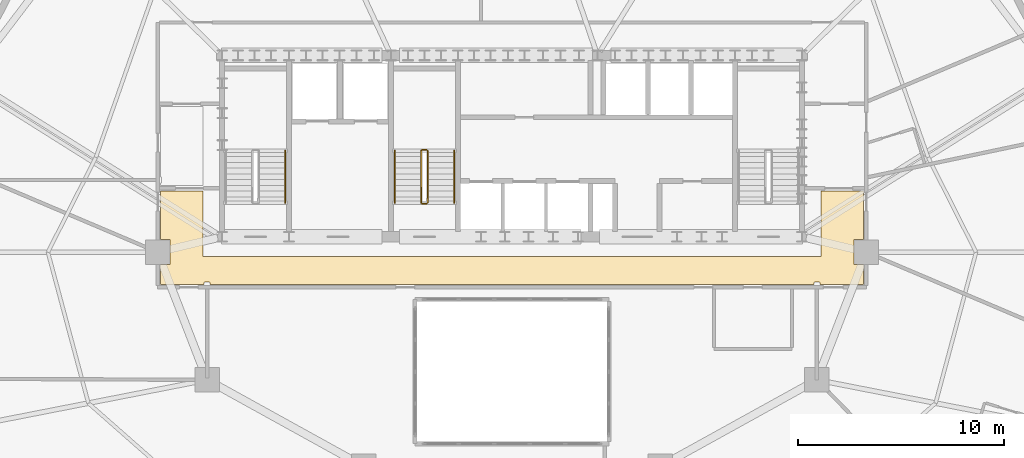
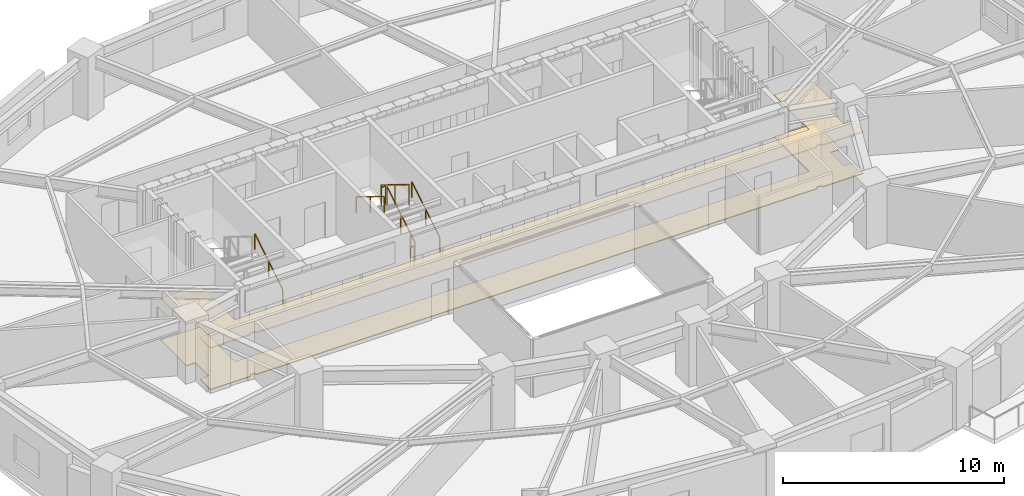
# One storey, part 11 of 12: 7 railings, 2 coverings.
"""IFC4 building model written with IfcOpenShell, lengths in metres."""

from ifc_helpers import new_model, si_unit, direction, frame, origin, origin_2d, place, context, subcontext, project, spatial, polyline, rectangle, outline, extrude, material, layer, layer_set, type_object, element, save


model = new_model("IFC4")

# Units and contexts
model_context = context("Model", 3, precision=1e-05, world=origin(), true_north=direction((0.0, 1.0)))
body_context = subcontext(model_context, "Body", "Model", "MODEL_VIEW")
ifc_project = project(units=[si_unit("LENGTHUNIT", "METRE"), si_unit("AREAUNIT", "SQUARE_METRE"), si_unit("VOLUMEUNIT", "CUBIC_METRE"), si_unit("PLANEANGLEUNIT", "RADIAN"), si_unit("MASSUNIT", "GRAM", prefix="KILO")], contexts=[model_context])

# Site, building, storey
site_placement = place(None, origin())
site = spatial("IfcSite", under=ifc_project, at=site_placement, CompositionType="ELEMENT")
building_placement = place(site_placement, origin())
building = spatial("IfcBuilding", under=site, at=building_placement, Name="Haldorwick Loom Tower", CompositionType="ELEMENT")
storey_placement = place(building_placement, frame((0.0, 0.0, 117.35009765625)))
storey = spatial("IfcBuildingStorey", under=building, at=storey_placement, Name="L31", CompositionType="ELEMENT", Elevation=117.35009765625)

# Coverings
ifc_material_1 = material(Name="Mineral Fibre Acoustic Ceiling Tile")
ifc_layer_1 = layer(ifc_material_1, 0.054931640625, Name="Mineral Fibre Acoustic Ceiling Tile")
ifc_layer_set_1 = layer_set([ifc_layer_1], Name="Mineral Fibre Acoustic Ceiling Tile")
covering_type_1 = type_object("IfcCoveringType", Name="ARC-COV-CEIL2", PredefinedType="CEILING", material=ifc_layer_set_1)
covering_1_placement = place(storey_placement, frame((0.0, 0.0, 2.302001953125)))
element("IfcCovering", 1, at=covering_1_placement, inside=storey, type_object=covering_type_1, Name="L31 Acoustic Suspended Ceiling 1", PredefinedType="CEILING", context=body_context, shape_type="SweptSolid", body=[
    extrude(outline(polyline([(21.320068359375, 24.5400390625), (21.322021484375, 24.539794921875), (21.323974609375, 24.53955078125), (21.32568359375, 24.5390625), (21.32763671875, 24.53857421875), (21.329345703125, 24.53759765625), (21.3310546875, 24.53662109375), (21.332763671875, 24.535400390625), (21.333984375, 24.5341796875), (21.33544921875, 24.53271484375), (21.336669921875, 24.531005859375), (21.337646484375, 24.529296875), (21.33837890625, 24.527587890625), (21.339111328125, 24.52587890625), (21.339599609375, 24.52392578125), (21.33984375, 24.52197265625), (21.340087890625, 24.52001953125), (21.340087890625, 24.43994140625), (50.659912109375, 24.43994140625), (50.659912109375, 24.52001953125), (50.66015625, 24.52197265625), (50.660400390625, 24.52392578125), (50.660888671875, 24.52587890625), (50.66162109375, 24.527587890625), (50.662353515625, 24.529296875), (50.663330078125, 24.531005859375), (50.66455078125, 24.53271484375), (50.666015625, 24.5341796875), (50.667236328125, 24.535400390625), (50.6689453125, 24.53662109375), (50.670654296875, 24.53759765625), (50.67236328125, 24.53857421875), (50.67431640625, 24.5390625), (50.676025390625, 24.53955078125), (50.677978515625, 24.539794921875), (50.679931640625, 24.5400390625), (50.919921875, 24.5400390625), (50.922119140625, 24.539794921875), (50.923828125, 24.53955078125), (50.92578125, 24.5390625), (50.927734375, 24.53857421875), (50.929443359375, 24.53759765625), (50.93115234375, 24.53662109375), (50.9326171875, 24.535400390625), (50.93408203125, 24.5341796875), (50.935546875, 24.53271484375), (50.9365234375, 24.531005859375), (50.9375, 24.529296875), (50.9384765625, 24.527587890625), (50.939208984375, 24.52587890625), (50.939697265625, 24.52392578125), (50.93994140625, 24.52197265625), (50.93994140625, 24.52001953125), (50.93994140625, 24.43994140625), (53.06005859375, 24.43994140625), (53.06005859375, 25.39208984375), (52.592041015625, 25.39208984375), (52.592041015625, 26.60791015625), (53.06005859375, 26.60791015625), (53.06005859375, 28.9599609375), (51.0, 28.9599609375), (51.0, 25.800048828125), (21.0, 25.800048828125), (21.0, 28.9599609375), (18.93994140625, 28.9599609375), (18.93994140625, 26.60791015625), (19.407958984375, 26.60791015625), (19.407958984375, 25.39208984375), (18.93994140625, 25.39208984375), (18.93994140625, 24.43994140625), (21.06005859375, 24.43994140625), (21.06005859375, 24.52001953125), (21.06005859375, 24.52197265625), (21.060302734375, 24.52392578125), (21.060791015625, 24.52587890625), (21.0615234375, 24.527587890625), (21.0625, 24.529296875), (21.0634765625, 24.531005859375), (21.064453125, 24.53271484375), (21.06591796875, 24.5341796875), (21.0673828125, 24.535400390625), (21.06884765625, 24.53662109375), (21.070556640625, 24.53759765625), (21.072265625, 24.53857421875), (21.07421875, 24.5390625), (21.076171875, 24.53955078125), (21.077880859375, 24.539794921875), (21.080078125, 24.5400390625), (21.320068359375, 24.5400390625)])), origin(), (0.0, 0.0, 1.0), 0.054931640625),
])
ifc_material_2 = material(Name="Polished Aggregate Terrazzo Finish")
ifc_layer_2 = layer(ifc_material_2, 0.044921875, Name="Polished Aggregate Terrazzo Finish")
ifc_layer_set_2 = layer_set([ifc_layer_2], Name="Polished Aggregate Terrazzo Finish")
covering_type_2 = type_object("IfcCoveringType", Name="ARC-COV-FLOOR2", PredefinedType="FLOORING", material=ifc_layer_set_2)
covering_2_placement = place(storey_placement, origin())
element("IfcCovering", 2, at=covering_2_placement, inside=storey, type_object=covering_type_2, Name="L31 Floor Finish 1", PredefinedType="FLOORING", context=body_context, shape_type="SweptSolid", body=[
    extrude(outline(polyline([(21.320068359375, 24.5400390625), (21.322021484375, 24.539794921875), (21.323974609375, 24.53955078125), (21.32568359375, 24.5390625), (21.32763671875, 24.53857421875), (21.329345703125, 24.53759765625), (21.3310546875, 24.53662109375), (21.332763671875, 24.535400390625), (21.333984375, 24.5341796875), (21.33544921875, 24.53271484375), (21.336669921875, 24.531005859375), (21.337646484375, 24.529296875), (21.33837890625, 24.527587890625), (21.339111328125, 24.52587890625), (21.339599609375, 24.52392578125), (21.33984375, 24.52197265625), (21.340087890625, 24.52001953125), (21.340087890625, 24.43994140625), (50.659912109375, 24.43994140625), (50.659912109375, 24.52001953125), (50.66015625, 24.52197265625), (50.660400390625, 24.52392578125), (50.660888671875, 24.52587890625), (50.66162109375, 24.527587890625), (50.662353515625, 24.529296875), (50.663330078125, 24.531005859375), (50.66455078125, 24.53271484375), (50.666015625, 24.5341796875), (50.667236328125, 24.535400390625), (50.6689453125, 24.53662109375), (50.670654296875, 24.53759765625), (50.67236328125, 24.53857421875), (50.67431640625, 24.5390625), (50.676025390625, 24.53955078125), (50.677978515625, 24.539794921875), (50.679931640625, 24.5400390625), (50.919921875, 24.5400390625), (50.922119140625, 24.539794921875), (50.923828125, 24.53955078125), (50.92578125, 24.5390625), (50.927734375, 24.53857421875), (50.929443359375, 24.53759765625), (50.93115234375, 24.53662109375), (50.9326171875, 24.535400390625), (50.93408203125, 24.5341796875), (50.935546875, 24.53271484375), (50.9365234375, 24.531005859375), (50.9375, 24.529296875), (50.9384765625, 24.527587890625), (50.939208984375, 24.52587890625), (50.939697265625, 24.52392578125), (50.93994140625, 24.52197265625), (50.93994140625, 24.52001953125), (50.93994140625, 24.43994140625), (53.06005859375, 24.43994140625), (53.06005859375, 25.39208984375), (52.592041015625, 25.39208984375), (52.592041015625, 26.60791015625), (53.06005859375, 26.60791015625), (53.06005859375, 28.9599609375), (51.0, 28.9599609375), (51.0, 25.800048828125), (21.0, 25.800048828125), (21.0, 28.9599609375), (18.93994140625, 28.9599609375), (18.93994140625, 26.60791015625), (19.407958984375, 26.60791015625), (19.407958984375, 25.39208984375), (18.93994140625, 25.39208984375), (18.93994140625, 24.43994140625), (21.06005859375, 24.43994140625), (21.06005859375, 24.52001953125), (21.06005859375, 24.52197265625), (21.060302734375, 24.52392578125), (21.060791015625, 24.52587890625), (21.0615234375, 24.527587890625), (21.0625, 24.529296875), (21.0634765625, 24.531005859375), (21.064453125, 24.53271484375), (21.06591796875, 24.5341796875), (21.0673828125, 24.535400390625), (21.06884765625, 24.53662109375), (21.070556640625, 24.53759765625), (21.072265625, 24.53857421875), (21.07421875, 24.5390625), (21.076171875, 24.53955078125), (21.077880859375, 24.539794921875), (21.080078125, 24.5400390625), (21.320068359375, 24.5400390625)])), origin(), (0.0, 0.0, 1.0), 0.044921875),
])

# Railings
ifc_material_3 = material(Name="Steel CSA G40.21 350W", Category="steel")
railing_type_1 = type_object("IfcRailingType", Name="ARC-RLG-GUARD112", PredefinedType="GUARDRAIL", material=ifc_material_3)
railing_1_placement = place(storey_placement, frame((31.89990234375, 28.39990234375, 0.17236328125)))
element("IfcRailing", 3, at=railing_1_placement, inside=storey, type_object=railing_type_1, Name="L31 ST-03 stair guard 1", PredefinedType="GUARDRAIL", context=body_context, shape_type="SweptSolid", body=[
    extrude(rectangle(XDim=0.048095703125, YDim=0.048095703125, at=origin_2d()), frame((0.0, 0.0, 1.076171875), z_axis=(0.0, 0.851400495292, 0.524516154772), x_axis=(-1.0, 0.0, 0.0)), (0.0, 0.0, 1.0), 2.9599609375),
    extrude(rectangle(XDim=0.0419921875, YDim=0.0419921875, at=origin_2d()), origin(), (0.0, 0.0, 1.0), 1.052001953125),
    extrude(rectangle(XDim=0.0419921875, YDim=0.0419921875, at=origin_2d()), frame((0.0, 1.260009765625, 0.7763671875)), (0.0, 0.0, 1.0), 1.052001953125),
    extrude(rectangle(XDim=0.0419921875, YDim=0.0419921875, at=origin_2d()), frame((0.0, 2.52001953125, 1.552490234375)), (0.0, 0.0, 1.0), 1.052001953125),
])
railing_2_placement = place(storey_placement, frame((31.85009765625, 30.969970703125, 1.724853515625)))
element("IfcRailing", 4, at=railing_2_placement, inside=storey, type_object=railing_type_1, Name="L31 ST-03 stair guard 2", PredefinedType="GUARDRAIL", context=body_context, shape_type="SweptSolid", body=[
    extrude(rectangle(XDim=0.048095703125, YDim=0.048095703125, at=origin_2d()), frame((0.0, 0.0, 1.076171875), z_axis=(-1.0, 0.0, 0.0), x_axis=(0.0, -1.0, 0.0)), (0.0, 0.0, 1.0), 0.2001953125),
    extrude(rectangle(XDim=0.0419921875, YDim=0.0419921875, at=origin_2d()), origin(), (0.0, 0.0, 1.0), 1.052001953125),
    extrude(rectangle(XDim=0.0419921875, YDim=0.0419921875, at=origin_2d()), frame((-0.2001953125, 0.0, 0.0)), (0.0, 0.0, 1.0), 1.052001953125),
])
railing_3_placement = place(storey_placement, frame((31.60009765625, 30.919921875, 1.8974609375)))
element("IfcRailing", 5, at=railing_3_placement, inside=storey, type_object=railing_type_1, Name="L31 ST-03 stair guard 3", PredefinedType="GUARDRAIL", context=body_context, shape_type="SweptSolid", body=[
    extrude(rectangle(XDim=0.048095703125, YDim=0.048095703125, at=origin_2d()), frame((0.0, 0.0, 1.076171875), z_axis=(0.0, -0.851400495292, 0.524516154772), x_axis=(1.0, 0.0, 0.0)), (0.0, 0.0, 1.0), 2.9599609375),
    extrude(rectangle(XDim=0.0419921875, YDim=0.0419921875, at=origin_2d()), origin(), (0.0, 0.0, 1.0), 1.052001953125),
    extrude(rectangle(XDim=0.0419921875, YDim=0.0419921875, at=origin_2d()), frame((0.0, -1.260009765625, 0.7763671875)), (0.0, 0.0, 1.0), 1.052001953125),
    extrude(rectangle(XDim=0.0419921875, YDim=0.0419921875, at=origin_2d()), frame((0.0, -2.52001953125, 1.552490234375)), (0.0, 0.0, 1.0), 1.052001953125),
])
railing_4_placement = place(storey_placement, frame((31.85009765625, 28.35009765625, 0.0)))
element("IfcRailing", 6, at=railing_4_placement, inside=storey, type_object=railing_type_1, Name="L31 ST-03 stair guard 4", PredefinedType="GUARDRAIL", context=body_context, shape_type="SweptSolid", body=[
    extrude(rectangle(XDim=0.048095703125, YDim=0.048095703125, at=origin_2d()), frame((0.0, 0.0, 1.076171875), z_axis=(-1.0, 0.0, 0.0), x_axis=(0.0, -1.0, 0.0)), (0.0, 0.0, 1.0), 0.2001953125),
    extrude(rectangle(XDim=0.0419921875, YDim=0.0419921875, at=origin_2d()), origin(), (0.0, 0.0, 1.0), 1.052001953125),
    extrude(rectangle(XDim=0.0419921875, YDim=0.0419921875, at=origin_2d()), frame((-0.2001953125, 0.0, 0.0)), (0.0, 0.0, 1.0), 1.052001953125),
])
railing_type_2 = type_object("IfcRailingType", Name="ARC-RLG-HAND092", PredefinedType="HANDRAIL", material=ifc_material_3)
for number, where, name in (
    (7, (25.0, 28.39990234375, 0.17236328125), "L31 ST-01 stair handrail 1"),
    (8, (33.199951171875, 28.39990234375, 0.17236328125), "L31 ST-03 stair handrail 1"),
):
    element("IfcRailing", number, at=place(storey_placement, frame(where)), inside=storey, type_object=railing_type_2, Name=name, PredefinedType="HANDRAIL", context=body_context, shape_type="SweptSolid", body=[
        extrude(rectangle(XDim=0.048095703125, YDim=0.048095703125, at=origin_2d()), frame((0.0, 0.0, 0.8759765625), z_axis=(0.0, 0.851400495292, 0.524516154772), x_axis=(-1.0, 0.0, 0.0)), (0.0, 0.0, 1.0), 2.9599609375),
        extrude(rectangle(XDim=0.0419921875, YDim=0.0419921875, at=origin_2d()), origin(), (0.0, 0.0, 1.0), 0.851806640625),
        extrude(rectangle(XDim=0.0419921875, YDim=0.0419921875, at=origin_2d()), frame((0.0, 1.260009765625, 0.7763671875)), (0.0, 0.0, 1.0), 0.851806640625),
        extrude(rectangle(XDim=0.0419921875, YDim=0.0419921875, at=origin_2d()), frame((0.0, 2.52001953125, 1.552490234375)), (0.0, 0.0, 1.0), 0.851806640625),
    ])
railing_5_placement = place(storey_placement, frame((30.300048828125, 30.919921875, 1.8974609375)))
element("IfcRailing", 9, at=railing_5_placement, inside=storey, type_object=railing_type_2, Name="L31 ST-03 stair handrail 2", PredefinedType="HANDRAIL", context=body_context, shape_type="SweptSolid", body=[
    extrude(rectangle(XDim=0.048095703125, YDim=0.048095703125, at=origin_2d()), frame((0.0, 0.0, 0.8759765625), z_axis=(0.0, -0.851400495292, 0.524516154772), x_axis=(1.0, 0.0, 0.0)), (0.0, 0.0, 1.0), 2.9599609375),
    extrude(rectangle(XDim=0.0419921875, YDim=0.0419921875, at=origin_2d()), origin(), (0.0, 0.0, 1.0), 0.851806640625),
    extrude(rectangle(XDim=0.0419921875, YDim=0.0419921875, at=origin_2d()), frame((0.0, -1.260009765625, 0.7763671875)), (0.0, 0.0, 1.0), 0.851806640625),
    extrude(rectangle(XDim=0.0419921875, YDim=0.0419921875, at=origin_2d()), frame((0.0, -2.52001953125, 1.552490234375)), (0.0, 0.0, 1.0), 0.851806640625),
])

save(model, "model.ifc")
